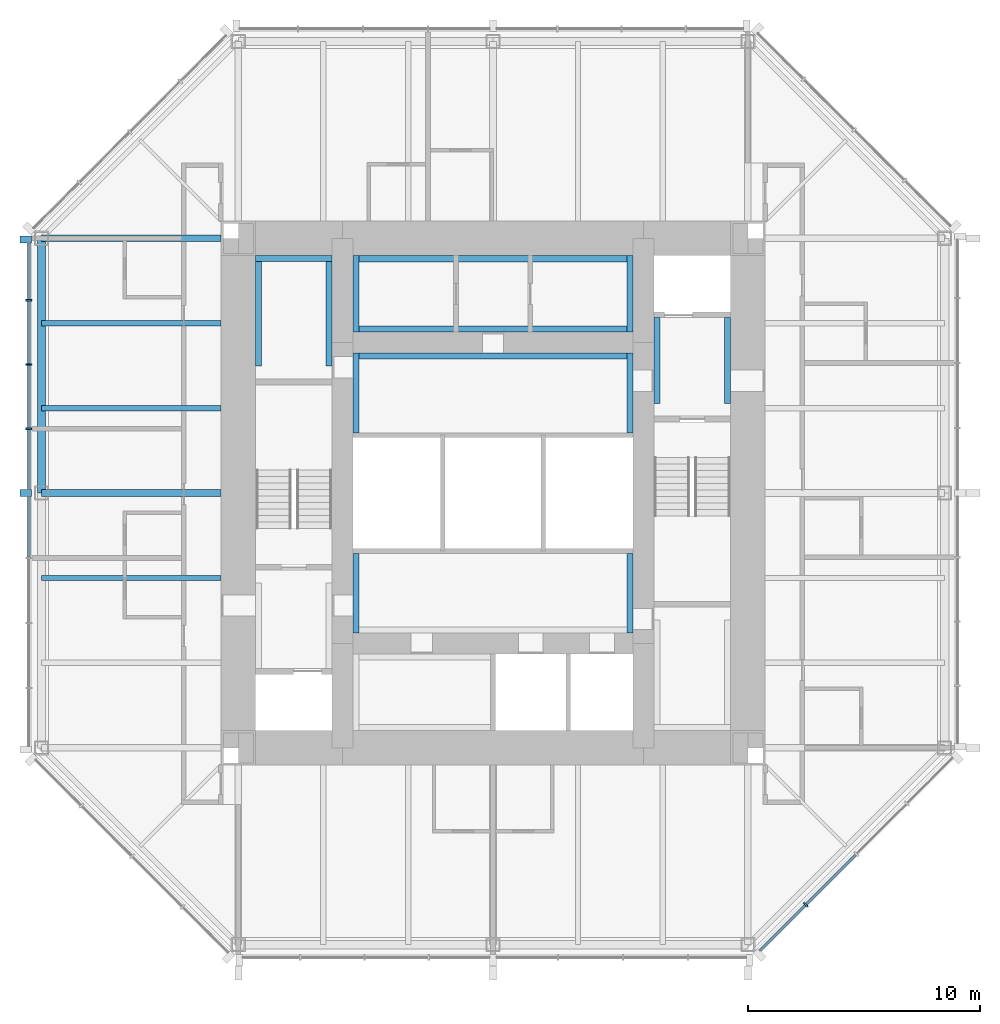
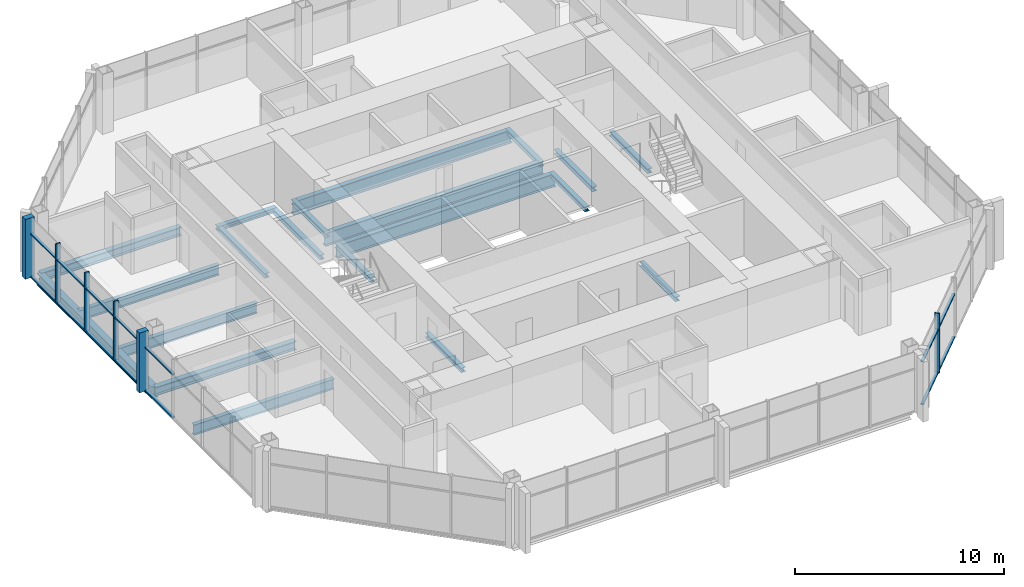
# One storey, part 3 of 11: 20 beams, 20 members, 2 elements without a shape of their own.
"""IFC4 building model written with IfcOpenShell, lengths in metres."""

from ifc_helpers import new_model, si_unit, direction, frame, origin, origin_2d, place, context, subcontext, project, spatial, rectangle, i_section, extrude, material, material_profile, profile_set, type_object, element, aggregate, save


model = new_model("IFC4")

# Units and contexts
model_context = context("Model", 3, precision=1e-05, world=origin(), true_north=direction((0.0, 1.0)))
body_context = subcontext(model_context, "Body", "Model", "MODEL_VIEW")
ifc_project = project(units=[si_unit("LENGTHUNIT", "METRE"), si_unit("AREAUNIT", "SQUARE_METRE"), si_unit("VOLUMEUNIT", "CUBIC_METRE"), si_unit("PLANEANGLEUNIT", "RADIAN"), si_unit("MASSUNIT", "GRAM", prefix="KILO")], contexts=[model_context])

# Site, building, storey
site_placement = place(None, origin())
site = spatial("IfcSite", under=ifc_project, at=site_placement, CompositionType="ELEMENT")
building_placement = place(site_placement, origin())
building = spatial("IfcBuilding", under=site, at=building_placement, Name="Trevanion Tower", CompositionType="ELEMENT")
storey_placement = place(building_placement, frame((0.0, 0.0, 239.699951171875)))
storey = spatial("IfcBuildingStorey", under=building, at=storey_placement, Name="L58", CompositionType="ELEMENT", Elevation=239.699951171875)

# Beams
ifc_material_1 = material(Name="Steel ASTM A992 Grade 50", Category="steel")
ifc_material_profile_1 = material_profile(ifc_material_1, i_section(OverallWidth=0.228271484375, OverallDepth=0.607177734375, WebThickness=0.01123046875, FlangeThickness=0.017333984375, at=origin_2d()), Name="W24X76")
ifc_profile_set_1 = profile_set([ifc_material_profile_1], Name="Steel ASTM A992 Grade 50")
beam_type_1 = type_object("IfcBeamType", Name="B11 W24X76", PredefinedType="BEAM", material=ifc_profile_set_1)
for number, where, z_axis, x_axis, name in (
    (1, (-11.75, 7.333251953125, -0.493408203125), (-1.0, 0.0, 0.0), (0.0, -1.0, 0.0), "B11 L58"),
    (2, (-11.75, 3.666748046875, -0.493408203125), (-1.0, 0.0, 0.0), (0.0, -1.0, 0.0), "B11 L58"),
    (3, (-11.75, -3.666748046875, -0.493408203125), (-1.0, 0.0, 0.0), (0.0, -1.0, 0.0), "B11 L58"),
):
    element("IfcBeam", number, at=place(storey_placement, frame(where, z_axis=z_axis, x_axis=x_axis)), inside=storey, type_object=beam_type_1, Name=name, PredefinedType="BEAM", context=body_context, shape_type="SweptSolid", body=[
        extrude(i_section(OverallWidth=0.228271484375, OverallDepth=0.607177734375, WebThickness=0.01123046875, FlangeThickness=0.017333984375, at=origin_2d()), origin(), (0.0, 0.0, 1.0), 7.75),
    ])

# Curtain wall, members
ifc_material_2 = material(Name="Aluminium and glass", Category="aluminium")
curtain_wall_type = type_object("IfcCurtainWallType", Name="CW3 curtain wall", PredefinedType="USERDEFINED", material=ifc_material_2)
curtain_wall_1_placement = place(storey_placement, origin())
curtain_wall_1 = element("IfcCurtainWall", 4, at=curtain_wall_1_placement, inside=storey, type_object=curtain_wall_type, Name="CW3 L58 4", ObjectType="UNITISED CURTAIN WALL", PredefinedType="USERDEFINED")
ifc_material_3 = material(Name="Aluminium extrusion, anodised bronze", Category="aluminium")
ifc_material_profile_2 = material_profile(ifc_material_3, rectangle(XDim=0.074951171875, YDim=0.25, at=origin_2d()), Name="CW3 mullion")
ifc_profile_set_2 = profile_set([ifc_material_profile_2], Name="Aluminium extrusion, anodised bronze")
member_type_1 = type_object("IfcMemberType", Name="CW3 mullion", PredefinedType="MULLION", material=ifc_profile_set_2)
member_1_placement = place(storey_placement, frame((-20.050048828125, 8.323486328125, -0.18994140625), z_axis=(0.0, 0.0, 1.0), x_axis=(0.0, -1.0, 0.0)))
member_1 = element("IfcMember", 5, at=member_1_placement, type_object=member_type_1, Name="CW3 mullion 2", PredefinedType="MULLION", context=body_context, shape_type="SweptSolid", body=[
    extrude(rectangle(XDim=0.074951171875, YDim=0.25, at=origin_2d()), origin(), (0.0, 0.0, 1.0), 3.5),
])
member_2_placement = place(storey_placement, frame((-20.050048828125, 5.548828125, -0.18994140625), z_axis=(0.0, 0.0, 1.0), x_axis=(0.0, -1.0, 0.0)))
member_2 = element("IfcMember", 6, at=member_2_placement, type_object=member_type_1, Name="CW3 mullion 3", PredefinedType="MULLION", context=body_context, shape_type="SweptSolid", body=[
    extrude(rectangle(XDim=0.074951171875, YDim=0.25, at=origin_2d()), origin(), (0.0, 0.0, 1.0), 3.5),
])
member_3_placement = place(storey_placement, frame((-20.050048828125, 2.7744140625, -0.18994140625), z_axis=(0.0, 0.0, 1.0), x_axis=(0.0, -1.0, 0.0)))
member_3 = element("IfcMember", 7, at=member_3_placement, type_object=member_type_1, Name="CW3 mullion 4", PredefinedType="MULLION", context=body_context, shape_type="SweptSolid", body=[
    extrude(rectangle(XDim=0.074951171875, YDim=0.25, at=origin_2d()), origin(), (0.0, 0.0, 1.0), 3.5),
])

# Curtain wall, member
curtain_wall_2_placement = place(storey_placement, origin())
curtain_wall_2 = element("IfcCurtainWall", 8, at=curtain_wall_2_placement, inside=storey, type_object=curtain_wall_type, Name="CW3 L58 7", ObjectType="UNITISED CURTAIN WALL", PredefinedType="USERDEFINED")
member_4_placement = place(storey_placement, frame((13.502197265625, -17.775390625, -0.18994140625), z_axis=(0.0, 0.0, 1.0), x_axis=(0.707106781187, 0.707106781187, 0.0)))
member_4 = element("IfcMember", 9, at=member_4_placement, type_object=member_type_1, Name="CW3 mullion 2", PredefinedType="MULLION", context=body_context, shape_type="SweptSolid", body=[
    extrude(rectangle(XDim=0.074951171875, YDim=0.25, at=origin_2d()), origin(), (0.0, 0.0, 1.0), 3.5),
])

# Member
ifc_material_4 = material(Name="Aluminium extrusion, anodised bronze", Category="aluminium")
ifc_material_profile_3 = material_profile(ifc_material_4, rectangle(XDim=0.300048828125, YDim=0.5, at=origin_2d()), Name="CW3 pier mullion")
ifc_profile_set_3 = profile_set([ifc_material_profile_3], Name="Aluminium extrusion, anodised bronze")
member_type_2 = type_object("IfcMemberType", Name="CW3 pier mullion", PredefinedType="MULLION", material=ifc_profile_set_3)
member_5_placement = place(storey_placement, frame((-20.175048828125, 10.94775390625, -0.18994140625), z_axis=(0.0, 0.0, 1.0), x_axis=(0.0, -1.0, 0.0)))
member_5 = element("IfcMember", 10, at=member_5_placement, type_object=member_type_2, Name="CW3 pier mullion 1", PredefinedType="MULLION", context=body_context, shape_type="SweptSolid", body=[
    extrude(rectangle(XDim=0.300048828125, YDim=0.5, at=origin_2d()), origin(), (0.0, 0.0, 1.0), 3.5),
])

member_6_placement = place(storey_placement, frame((-20.175048828125, 0.0, -0.18994140625), z_axis=(0.0, 0.0, 1.0), x_axis=(0.0, -1.0, 0.0)))
member_6 = element("IfcMember", 11, at=member_6_placement, type_object=member_type_2, Name="CW3 pier mullion 5", PredefinedType="MULLION", context=body_context, shape_type="SweptSolid", body=[
    extrude(rectangle(XDim=0.300048828125, YDim=0.5, at=origin_2d()), origin(), (0.0, 0.0, 1.0), 3.5),
])

ifc_material_5 = material(Name="Aluminium extrusion, anodised bronze", Category="aluminium")
ifc_material_profile_4 = material_profile(ifc_material_5, rectangle(XDim=0.14990234375, YDim=0.074951171875, at=origin_2d()), Name="CW3 transom")
ifc_profile_set_4 = profile_set([ifc_material_profile_4], Name="Aluminium extrusion, anodised bronze")
member_type_3 = type_object("IfcMemberType", Name="CW3 transom", PredefinedType="USERDEFINED", material=ifc_profile_set_4)
member_7_placement = place(storey_placement, frame((-20.050048828125, 10.7978515625, -0.15234375), z_axis=(0.0, -1.0, 0.0), x_axis=(1.0, 0.0, 0.0)))
member_7 = element("IfcMember", 12, at=member_7_placement, type_object=member_type_3, Name="CW3 transom 1.1", ObjectType="TRANSOM", PredefinedType="USERDEFINED", context=body_context, shape_type="SweptSolid", body=[
    extrude(rectangle(XDim=0.14990234375, YDim=0.074951171875, at=origin_2d()), origin(), (0.0, 0.0, 1.0), 2.43701171875),
])

member_8_placement = place(storey_placement, frame((-20.050048828125, 10.7978515625, 2.360107421875), z_axis=(0.0, -1.0, 0.0), x_axis=(1.0, 0.0, 0.0)))
member_8 = element("IfcMember", 13, at=member_8_placement, type_object=member_type_3, Name="CW3 transom 1.2", ObjectType="TRANSOM", PredefinedType="USERDEFINED", context=body_context, shape_type="SweptSolid", body=[
    extrude(rectangle(XDim=0.14990234375, YDim=0.074951171875, at=origin_2d()), origin(), (0.0, 0.0, 1.0), 2.43701171875),
])

member_9_placement = place(storey_placement, frame((-20.050048828125, 8.285888671875, -0.15234375), z_axis=(0.0, -1.0, 0.0), x_axis=(1.0, 0.0, 0.0)))
member_9 = element("IfcMember", 14, at=member_9_placement, type_object=member_type_3, Name="CW3 transom 2.1", ObjectType="TRANSOM", PredefinedType="USERDEFINED", context=body_context, shape_type="SweptSolid", body=[
    extrude(rectangle(XDim=0.14990234375, YDim=0.074951171875, at=origin_2d()), origin(), (0.0, 0.0, 1.0), 2.699462890625),
])

member_10_placement = place(storey_placement, frame((-20.050048828125, 8.285888671875, 2.360107421875), z_axis=(0.0, -1.0, 0.0), x_axis=(1.0, 0.0, 0.0)))
member_10 = element("IfcMember", 15, at=member_10_placement, type_object=member_type_3, Name="CW3 transom 2.2", ObjectType="TRANSOM", PredefinedType="USERDEFINED", context=body_context, shape_type="SweptSolid", body=[
    extrude(rectangle(XDim=0.14990234375, YDim=0.074951171875, at=origin_2d()), origin(), (0.0, 0.0, 1.0), 2.699462890625),
])

member_11_placement = place(storey_placement, frame((-20.050048828125, 5.511474609375, -0.15234375), z_axis=(0.0, -1.0, 0.0), x_axis=(1.0, 0.0, 0.0)))
member_11 = element("IfcMember", 16, at=member_11_placement, type_object=member_type_3, Name="CW3 transom 3.1", ObjectType="TRANSOM", PredefinedType="USERDEFINED", context=body_context, shape_type="SweptSolid", body=[
    extrude(rectangle(XDim=0.14990234375, YDim=0.074951171875, at=origin_2d()), origin(), (0.0, 0.0, 1.0), 2.699462890625),
])

member_12_placement = place(storey_placement, frame((-20.050048828125, 5.511474609375, 2.360107421875), z_axis=(0.0, -1.0, 0.0), x_axis=(1.0, 0.0, 0.0)))
member_12 = element("IfcMember", 17, at=member_12_placement, type_object=member_type_3, Name="CW3 transom 3.2", ObjectType="TRANSOM", PredefinedType="USERDEFINED", context=body_context, shape_type="SweptSolid", body=[
    extrude(rectangle(XDim=0.14990234375, YDim=0.074951171875, at=origin_2d()), origin(), (0.0, 0.0, 1.0), 2.699462890625),
])

member_13_placement = place(storey_placement, frame((-20.050048828125, 2.737060546875, -0.15234375), z_axis=(0.0, -1.0, 0.0), x_axis=(1.0, 0.0, 0.0)))
member_13 = element("IfcMember", 18, at=member_13_placement, type_object=member_type_3, Name="CW3 transom 4.1", ObjectType="TRANSOM", PredefinedType="USERDEFINED", context=body_context, shape_type="SweptSolid", body=[
    extrude(rectangle(XDim=0.14990234375, YDim=0.074951171875, at=origin_2d()), origin(), (0.0, 0.0, 1.0), 2.587158203125),
])

member_14_placement = place(storey_placement, frame((-20.050048828125, 2.737060546875, 2.360107421875), z_axis=(0.0, -1.0, 0.0), x_axis=(1.0, 0.0, 0.0)))
member_14 = element("IfcMember", 19, at=member_14_placement, type_object=member_type_3, Name="CW3 transom 4.2", ObjectType="TRANSOM", PredefinedType="USERDEFINED", context=body_context, shape_type="SweptSolid", body=[
    extrude(rectangle(XDim=0.14990234375, YDim=0.074951171875, at=origin_2d()), origin(), (0.0, 0.0, 1.0), 2.587158203125),
])

member_15_placement = place(storey_placement, frame((-20.050048828125, -0.14990234375, -0.15234375), z_axis=(0.0, -1.0, 0.0), x_axis=(1.0, 0.0, 0.0)))
member_15 = element("IfcMember", 20, at=member_15_placement, type_object=member_type_3, Name="CW3 transom 5.1", ObjectType="TRANSOM", PredefinedType="USERDEFINED", context=body_context, shape_type="SweptSolid", body=[
    extrude(rectangle(XDim=0.14990234375, YDim=0.074951171875, at=origin_2d()), origin(), (0.0, 0.0, 1.0), 2.619384765625),
])

member_16_placement = place(storey_placement, frame((-20.050048828125, -0.14990234375, 2.360107421875), z_axis=(0.0, -1.0, 0.0), x_axis=(1.0, 0.0, 0.0)))
member_16 = element("IfcMember", 21, at=member_16_placement, type_object=member_type_3, Name="CW3 transom 5.2", ObjectType="TRANSOM", PredefinedType="USERDEFINED", context=body_context, shape_type="SweptSolid", body=[
    extrude(rectangle(XDim=0.14990234375, YDim=0.074951171875, at=origin_2d()), origin(), (0.0, 0.0, 1.0), 2.619384765625),
])

aggregate(curtain_wall_1, [member_5, member_1, member_2, member_3, member_6, member_7, member_8, member_9, member_10, member_11, member_12, member_13, member_14, member_15, member_16])

member_17_placement = place(storey_placement, frame((11.531982421875, -19.745849609375, -0.15234375), z_axis=(0.707106781187, 0.707106781187, 0.0), x_axis=(-0.707106781187, 0.707106781187, 0.0)))
member_17 = element("IfcMember", 22, at=member_17_placement, type_object=member_type_3, Name="CW3 transom 1.1", ObjectType="TRANSOM", PredefinedType="USERDEFINED", context=body_context, shape_type="SweptSolid", body=[
    extrude(rectangle(XDim=0.14990234375, YDim=0.074951171875, at=origin_2d()), origin(), (0.0, 0.0, 1.0), 2.7490234375),
])

member_18_placement = place(storey_placement, frame((11.531982421875, -19.745849609375, 2.360107421875), z_axis=(0.707106781187, 0.707106781187, 0.0), x_axis=(-0.707106781187, 0.707106781187, 0.0)))
member_18 = element("IfcMember", 23, at=member_18_placement, type_object=member_type_3, Name="CW3 transom 1.2", ObjectType="TRANSOM", PredefinedType="USERDEFINED", context=body_context, shape_type="SweptSolid", body=[
    extrude(rectangle(XDim=0.14990234375, YDim=0.074951171875, at=origin_2d()), origin(), (0.0, 0.0, 1.0), 2.7490234375),
])

member_19_placement = place(storey_placement, frame((13.52880859375, -17.7490234375, -0.15234375), z_axis=(0.707106781187, 0.707106781187, 0.0), x_axis=(-0.707106781187, 0.707106781187, 0.0)))
member_19 = element("IfcMember", 24, at=member_19_placement, type_object=member_type_3, Name="CW3 transom 2.1", ObjectType="TRANSOM", PredefinedType="USERDEFINED", context=body_context, shape_type="SweptSolid", body=[
    extrude(rectangle(XDim=0.14990234375, YDim=0.074951171875, at=origin_2d()), origin(), (0.0, 0.0, 1.0), 3.01171875),
])

member_20_placement = place(storey_placement, frame((13.52880859375, -17.7490234375, 2.360107421875), z_axis=(0.707106781187, 0.707106781187, 0.0), x_axis=(-0.707106781187, 0.707106781187, 0.0)))
member_20 = element("IfcMember", 25, at=member_20_placement, type_object=member_type_3, Name="CW3 transom 2.2", ObjectType="TRANSOM", PredefinedType="USERDEFINED", context=body_context, shape_type="SweptSolid", body=[
    extrude(rectangle(XDim=0.14990234375, YDim=0.074951171875, at=origin_2d()), origin(), (0.0, 0.0, 1.0), 3.01171875),
])

aggregate(curtain_wall_2, [member_4, member_17, member_18, member_19, member_20])

# Beams
ifc_material_6 = material(Name="Steel ASTM A992 Grade 50", Category="steel")
ifc_material_profile_5 = material_profile(ifc_material_6, i_section(OverallWidth=0.28955078125, OverallDepth=0.508056640625, WebThickness=0.022705078125, FlangeThickness=0.040283203125, at=origin_2d()), Name="W18X175")
ifc_profile_set_5 = profile_set([ifc_material_profile_5], Name="Steel ASTM A992 Grade 50")
beam_type_2 = type_object("IfcBeamType", Name="G6 W18X175", PredefinedType="BEAM", material=ifc_profile_set_5)
for number, where, z_axis, x_axis, name in (
    (26, (-11.75, 11.0, -0.44384765625), (-1.0, 0.0, 0.0), (0.0, -1.0, 0.0), "G6 L58"),
    (27, (-11.75, 0.0, -0.44384765625), (-1.0, 0.0, 0.0), (0.0, -1.0, 0.0), "G6 L58"),
):
    element("IfcBeam", number, at=place(storey_placement, frame(where, z_axis=z_axis, x_axis=x_axis)), inside=storey, type_object=beam_type_2, Name=name, PredefinedType="BEAM", context=body_context, shape_type="SweptSolid", body=[
        extrude(i_section(OverallWidth=0.28955078125, OverallDepth=0.508056640625, WebThickness=0.022705078125, FlangeThickness=0.040283203125, at=origin_2d()), origin(), (0.0, 0.0, 1.0), 7.75),
    ])
ifc_material_7 = material(Name="Steel ASTM A992 Grade 50", Category="steel")
ifc_material_profile_6 = material_profile(ifc_material_7, i_section(OverallWidth=0.256591796875, OverallDepth=0.26416015625, WebThickness=0.011962890625, FlangeThickness=0.01953125, at=origin_2d()), Name="W10X68")
ifc_profile_set_6 = profile_set([ifc_material_profile_6], Name="Steel ASTM A992 Grade 50")
beam_type_3 = type_object("IfcBeamType", Name="LB1 W10X68", PredefinedType="BEAM", material=ifc_profile_set_6)
for number, where, z_axis, x_axis, name in (
    (28, (-5.921630859375, 2.60009765625, -0.33203125), (0.0, 1.0, 0.0), (-1.0, 0.0, 0.0), "LB1 L58"),
    (29, (5.921630859375, 2.60009765625, -0.33203125), (0.0, 1.0, 0.0), (-1.0, 0.0, 0.0), "LB1 L58"),
    (30, (-5.921630859375, -6.050048828125, -0.33203125), (0.0, 1.0, 0.0), (-1.0, 0.0, 0.0), "LB1 L58"),
    (31, (5.921630859375, -6.050048828125, -0.33203125), (0.0, 1.0, 0.0), (-1.0, 0.0, 0.0), "LB1 L58"),
):
    element("IfcBeam", number, at=place(storey_placement, frame(where, z_axis=z_axis, x_axis=x_axis)), inside=storey, type_object=beam_type_3, Name=name, PredefinedType="BEAM", context=body_context, shape_type="SweptSolid", body=[
        extrude(i_section(OverallWidth=0.256591796875, OverallDepth=0.26416015625, WebThickness=0.011962890625, FlangeThickness=0.01953125, at=origin_2d()), origin(), (0.0, 0.0, 1.0), 3.449951171875),
    ])
for number, where, z_axis, x_axis, name in (
    (32, (7.078369140625, 3.875, -0.33203125), (0.0, 1.0, 0.0), (-1.0, 0.0, 0.0), "LB1 L58"),
    (33, (10.12158203125, 3.875, -0.33203125), (0.0, 1.0, 0.0), (-1.0, 0.0, 0.0), "LB1 L58"),
):
    element("IfcBeam", number, at=place(storey_placement, frame(where, z_axis=z_axis, x_axis=x_axis)), inside=storey, type_object=beam_type_3, Name=name, PredefinedType="BEAM", context=body_context, shape_type="SweptSolid", body=[
        extrude(i_section(OverallWidth=0.256591796875, OverallDepth=0.26416015625, WebThickness=0.011962890625, FlangeThickness=0.01953125, at=origin_2d()), origin(), (0.0, 0.0, 1.0), 3.699951171875),
    ])
for number, where, z_axis, x_axis, name in (
    (34, (-10.12158203125, 5.47509765625, -0.33203125), (0.0, 1.0, 0.0), (-1.0, 0.0, 0.0), "LB1 L58"),
    (35, (-7.078369140625, 5.47509765625, -0.33203125), (0.0, 1.0, 0.0), (-1.0, 0.0, 0.0), "LB1 L58"),
):
    element("IfcBeam", number, at=place(storey_placement, frame(where, z_axis=z_axis, x_axis=x_axis)), inside=storey, type_object=beam_type_3, Name=name, PredefinedType="BEAM", context=body_context, shape_type="SweptSolid", body=[
        extrude(i_section(OverallWidth=0.256591796875, OverallDepth=0.26416015625, WebThickness=0.011962890625, FlangeThickness=0.01953125, at=origin_2d()), origin(), (0.0, 0.0, 1.0), 4.77490234375),
    ])
for number, where, z_axis, x_axis, name in (
    (36, (-10.25, 10.12158203125, -0.33203125), (1.0, 0.0, 0.0), (0.0, 1.0, 0.0), "LB1 L58"),
    (37, (-5.921630859375, 6.949951171875, -0.33203125), (0.0, 1.0, 0.0), (-1.0, 0.0, 0.0), "LB1 L58"),
    (38, (5.921630859375, 6.949951171875, -0.33203125), (0.0, 1.0, 0.0), (-1.0, 0.0, 0.0), "LB1 L58"),
):
    element("IfcBeam", number, at=place(storey_placement, frame(where, z_axis=z_axis, x_axis=x_axis)), inside=storey, type_object=beam_type_3, Name=name, PredefinedType="BEAM", context=body_context, shape_type="SweptSolid", body=[
        extrude(i_section(OverallWidth=0.256591796875, OverallDepth=0.26416015625, WebThickness=0.011962890625, FlangeThickness=0.01953125, at=origin_2d()), origin(), (0.0, 0.0, 1.0), 3.300048828125),
    ])
ifc_material_8 = material(Name="Steel ASTM A992 Grade 50", Category="steel")
ifc_material_profile_7 = material_profile(ifc_material_8, i_section(OverallWidth=0.2666015625, OverallDepth=0.76953125, WebThickness=0.015625, FlangeThickness=0.025390625, at=origin_2d()), Name="W30X132")
ifc_profile_set_7 = profile_set([ifc_material_profile_7], Name="Steel ASTM A992 Grade 50")
beam_type_4 = type_object("IfcBeamType", Name="LB3 W30X132", PredefinedType="BEAM", material=ifc_profile_set_7)
for number, where, z_axis, x_axis, name in (
    (39, (-6.050048828125, 5.91650390625, -0.584716796875), (1.0, 0.0, 0.0), (0.0, 1.0, 0.0), "LB3 L58"),
    (40, (-6.050048828125, 7.08349609375, -0.584716796875), (1.0, 0.0, 0.0), (0.0, 1.0, 0.0), "LB3 L58"),
    (41, (-6.050048828125, 10.11669921875, -0.584716796875), (1.0, 0.0, 0.0), (0.0, 1.0, 0.0), "LB3 L58"),
):
    element("IfcBeam", number, at=place(storey_placement, frame(where, z_axis=z_axis, x_axis=x_axis)), inside=storey, type_object=beam_type_4, Name=name, PredefinedType="BEAM", context=body_context, shape_type="SweptSolid", body=[
        extrude(i_section(OverallWidth=0.2666015625, OverallDepth=0.76953125, WebThickness=0.015625, FlangeThickness=0.025390625, at=origin_2d()), origin(), (0.0, 0.0, 1.0), 12.10009765625),
    ])
ifc_material_9 = material(Name="Steel ASTM A992 Grade 50", Category="steel")
ifc_material_profile_8 = material_profile(ifc_material_9, i_section(OverallWidth=0.355712890625, OverallDepth=0.696044921875, WebThickness=0.015380859375, FlangeThickness=0.024658203125, at=origin_2d()), Name="W27X146")
ifc_profile_set_8 = profile_set([ifc_material_profile_8], Name="Steel ASTM A992 Grade 50")
beam_type_5 = type_object("IfcBeamType", Name="SB8 W27X146", PredefinedType="SPANDREL", material=ifc_profile_set_8)
beam_placement = place(storey_placement, frame((-19.5, 11.0, -0.537841796875), z_axis=(0.0, -1.0, 0.0), x_axis=(1.0, 0.0, 0.0)))
element("IfcBeam", 42, at=beam_placement, inside=storey, type_object=beam_type_5, Name="SB8 L58", PredefinedType="SPANDREL", context=body_context, shape_type="SweptSolid", body=[
    extrude(i_section(OverallWidth=0.355712890625, OverallDepth=0.696044921875, WebThickness=0.015380859375, FlangeThickness=0.024658203125, at=origin_2d()), origin(), (0.0, 0.0, 1.0), 11.0),
])

save(model, "model.ifc")
